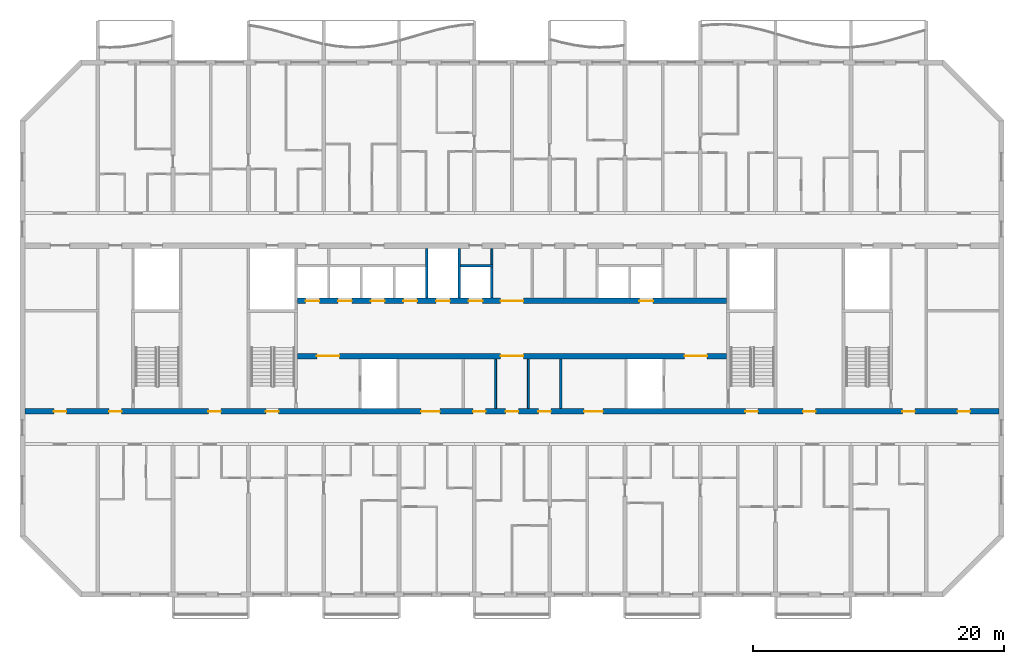
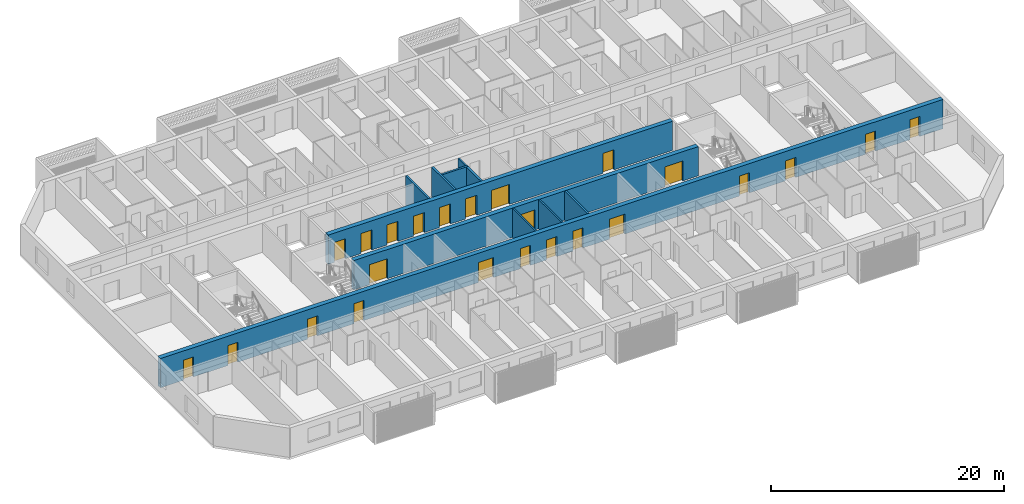
# One storey, part 7 of 33: 24 doors, 11 walls, 24 openings.
"""IFC4 building model written with IfcOpenShell, lengths in metres."""

from ifc_helpers import new_model, si_unit, direction, frame, frame_2d, origin, place, context, subcontext, project, spatial, rectangle, extrude, material, layer, layer_set, type_object, element, fill, save


model = new_model("IFC4")

# Units and contexts
model_context = context("Model", 3, precision=1e-05, world=origin(), true_north=direction((0.0, 1.0)))
body_context = subcontext(model_context, "Body", "Model", "MODEL_VIEW")
ifc_project = project(units=[si_unit("LENGTHUNIT", "METRE"), si_unit("AREAUNIT", "SQUARE_METRE"), si_unit("VOLUMEUNIT", "CUBIC_METRE"), si_unit("PLANEANGLEUNIT", "RADIAN"), si_unit("MASSUNIT", "GRAM", prefix="KILO")], contexts=[model_context])

# Site, building, storey
site_placement = place(None, origin())
site = spatial("IfcSite", under=ifc_project, at=site_placement, CompositionType="ELEMENT")
building_placement = place(site_placement, origin())
building = spatial("IfcBuilding", under=site, at=building_placement, Name="Poui Terraces", CompositionType="ELEMENT")
storey_placement = place(building_placement, frame((0.0, 0.0, 135.60009765625)))
storey = spatial("IfcBuildingStorey", under=building, at=storey_placement, Name="L37", CompositionType="ELEMENT", Elevation=135.60009765625)

# Wall, openings, doors
ifc_material_1 = material(Name="Concrete 65 MPa", Category="concrete")
ifc_layer_1 = layer(ifc_material_1, 0.449951171875)
ifc_layer_set_1 = layer_set([ifc_layer_1], Name="Concrete 65 MPa")
wall_type_1 = type_object("IfcWallType", Name="CORE WALL 450 65 MPA", PredefinedType="SOLIDWALL", material=ifc_layer_set_1)
wall_1_placement = place(storey_placement, frame((33.925048828125, 19.0, 0.0), z_axis=(0.0, 0.0, 1.0), x_axis=(1.0, 0.0, 0.0)))
wall_1 = element("IfcWall", 1, at=wall_1_placement, inside=storey, type_object=wall_type_1, Name="CORE WALL", PredefinedType="SOLIDWALL", context=body_context, shape_type="SweptSolid", body=[
    extrude(rectangle(XDim=34.14990234375, YDim=0.449951171875, at=frame_2d((17.074951171875, 0.0))), origin(), (0.0, 0.0, 1.0), 3.06982421875),
])
opening_1_placement = place(wall_1_placement, frame((16.175048828125, 0.0, 0.0)))
opening_1 = element("IfcOpeningElement", 2, at=opening_1_placement, cuts=wall_1, Name="Opening FDD60", PredefinedType="OPENING", context=body_context, shape_type="SweptSolid", body=[
    extrude(rectangle(XDim=1.800048828125, YDim=2.10009765625, at=frame_2d((0.89990234375, 1.050048828125))), frame((0.0, 0.23486328125, 0.0), z_axis=(0.0, -1.0, 0.0), x_axis=(1.0, 0.0, 0.0)), (0.0, 0.0, 1.0), 0.469970703125),
])
opening_2_placement = place(wall_1_placement, frame((1.52490234375, 0.0, 0.0)))
opening_2 = element("IfcOpeningElement", 3, at=opening_2_placement, cuts=wall_1, Name="Opening FDD60", PredefinedType="OPENING", context=body_context, shape_type="SweptSolid", body=[
    extrude(rectangle(XDim=1.800048828125, YDim=2.10009765625, at=frame_2d((0.89990234375, 1.050048828125))), frame((0.0, 0.23486328125, 0.0), z_axis=(0.0, -1.0, 0.0), x_axis=(1.0, 0.0, 0.0)), (0.0, 0.0, 1.0), 0.469970703125),
])
opening_3_placement = place(wall_1_placement, frame((30.824951171875, 0.0, 0.0)))
opening_3 = element("IfcOpeningElement", 4, at=opening_3_placement, cuts=wall_1, Name="Opening FDD60", PredefinedType="OPENING", context=body_context, shape_type="SweptSolid", body=[
    extrude(rectangle(XDim=1.800048828125, YDim=2.10009765625, at=frame_2d((0.89990234375, 1.050048828125))), frame((0.0, 0.23486328125, 0.0), z_axis=(0.0, -1.0, 0.0), x_axis=(1.0, 0.0, 0.0)), (0.0, 0.0, 1.0), 0.469970703125),
])
ifc_material_2 = material(Name="Steel fire door", Category="steel")
door_type_1 = type_object("IfcDoorType", Name="DOUBLE LOBBY FIRE DOOR 1800 X 2100", OperationType="DOUBLE_DOOR_SINGLE_SWING", PredefinedType="DOOR", material=ifc_material_2)
door_1_placement = place(opening_1_placement, frame((1.800048828125, 0.0, 0.0), z_axis=(0.0, 0.0, 1.0), x_axis=(-1.0, 0.0, 0.0)))
door_1 = element("IfcDoor", 5, at=door_1_placement, inside=storey, type_object=door_type_1, Name="DOUBLE LOBBY FIRE DOOR 122", OperationType="DOUBLE_DOOR_SINGLE_SWING", OverallHeight=2.10009765625, OverallWidth=1.800048828125, PredefinedType="DOOR", context=body_context, shape_type="SweptSolid", body=[
    extrude(rectangle(XDim=1.800048828125, YDim=2.10009765625, at=frame_2d((0.89990234375, 1.050048828125))), frame((0.0, 0.02490234375, 0.0), z_axis=(0.0, -1.0, 0.0), x_axis=(1.0, 0.0, 0.0)), (0.0, 0.0, 1.0), 0.050048828125),
])
fill(opening_1, door_1)
door_2_placement = place(opening_2_placement, origin())
door_2 = element("IfcDoor", 6, at=door_2_placement, inside=storey, type_object=door_type_1, Name="DOUBLE LOBBY FIRE DOOR 124", OperationType="DOUBLE_DOOR_SINGLE_SWING", OverallHeight=2.10009765625, OverallWidth=1.800048828125, PredefinedType="DOOR", context=body_context, shape_type="SweptSolid", body=[
    extrude(rectangle(XDim=1.800048828125, YDim=2.10009765625, at=frame_2d((0.89990234375, 1.050048828125))), frame((0.0, 0.02490234375, 0.0), z_axis=(0.0, -1.0, 0.0), x_axis=(1.0, 0.0, 0.0)), (0.0, 0.0, 1.0), 0.050048828125),
])
fill(opening_2, door_2)
door_3_placement = place(opening_3_placement, origin())
door_3 = element("IfcDoor", 7, at=door_3_placement, inside=storey, type_object=door_type_1, Name="DOUBLE LOBBY FIRE DOOR 131", OperationType="DOUBLE_DOOR_SINGLE_SWING", OverallHeight=2.10009765625, OverallWidth=1.800048828125, PredefinedType="DOOR", context=body_context, shape_type="SweptSolid", body=[
    extrude(rectangle(XDim=1.800048828125, YDim=2.10009765625, at=frame_2d((0.89990234375, 1.050048828125))), frame((0.0, 0.02490234375, 0.0), z_axis=(0.0, -1.0, 0.0), x_axis=(1.0, 0.0, 0.0)), (0.0, 0.0, 1.0), 0.050048828125),
])
fill(opening_3, door_3)

wall_2_placement = place(storey_placement, frame((33.925048828125, 23.39990234375, 0.0), z_axis=(0.0, 0.0, 1.0), x_axis=(1.0, 0.0, 0.0)))
wall_2 = element("IfcWall", 8, at=wall_2_placement, inside=storey, type_object=wall_type_1, Name="CORE WALL", PredefinedType="SOLIDWALL", context=body_context, shape_type="SweptSolid", body=[
    extrude(rectangle(XDim=34.14990234375, YDim=0.449951171875, at=frame_2d((17.074951171875, 0.0))), origin(), (0.0, 0.0, 1.0), 3.06982421875),
])
opening_4_placement = place(wall_2_placement, frame((16.175048828125, 0.0, 0.0)))
opening_4 = element("IfcOpeningElement", 9, at=opening_4_placement, cuts=wall_2, Name="Opening FDD60", PredefinedType="OPENING", context=body_context, shape_type="SweptSolid", body=[
    extrude(rectangle(XDim=1.800048828125, YDim=2.10009765625, at=frame_2d((0.89990234375, 1.050048828125))), frame((0.0, 0.23486328125, 0.0), z_axis=(0.0, -1.0, 0.0), x_axis=(1.0, 0.0, 0.0)), (0.0, 0.0, 1.0), 0.469970703125),
])
opening_5_placement = place(wall_2_placement, frame((0.625, 0.0, 0.0)))
opening_5 = element("IfcOpeningElement", 10, at=opening_5_placement, cuts=wall_2, Name="Opening LD", PredefinedType="OPENING", context=body_context, shape_type="SweptSolid", body=[
    extrude(rectangle(XDim=1.10009765625, YDim=2.10009765625, at=frame_2d((0.550048828125, 1.050048828125))), frame((0.0, 0.23486328125, 0.0), z_axis=(0.0, -1.0, 0.0), x_axis=(1.0, 0.0, 0.0)), (0.0, 0.0, 1.0), 0.469970703125),
])
opening_6_placement = place(wall_2_placement, frame((3.22509765625, 0.0, 0.0)))
opening_6 = element("IfcOpeningElement", 11, at=opening_6_placement, cuts=wall_2, Name="Opening LD", PredefinedType="OPENING", context=body_context, shape_type="SweptSolid", body=[
    extrude(rectangle(XDim=1.10009765625, YDim=2.10009765625, at=frame_2d((0.550048828125, 1.050048828125))), frame((0.0, 0.23486328125, 0.0), z_axis=(0.0, -1.0, 0.0), x_axis=(1.0, 0.0, 0.0)), (0.0, 0.0, 1.0), 0.469970703125),
])
opening_7_placement = place(wall_2_placement, frame((5.824951171875, 0.0, 0.0)))
opening_7 = element("IfcOpeningElement", 12, at=opening_7_placement, cuts=wall_2, Name="Opening LD", PredefinedType="OPENING", context=body_context, shape_type="SweptSolid", body=[
    extrude(rectangle(XDim=1.10009765625, YDim=2.10009765625, at=frame_2d((0.550048828125, 1.050048828125))), frame((0.0, 0.23486328125, 0.0), z_axis=(0.0, -1.0, 0.0), x_axis=(1.0, 0.0, 0.0)), (0.0, 0.0, 1.0), 0.469970703125),
])
opening_8_placement = place(wall_2_placement, frame((8.425048828125, 0.0, 0.0)))
opening_8 = element("IfcOpeningElement", 13, at=opening_8_placement, cuts=wall_2, Name="Opening LD", PredefinedType="OPENING", context=body_context, shape_type="SweptSolid", body=[
    extrude(rectangle(XDim=1.10009765625, YDim=2.10009765625, at=frame_2d((0.550048828125, 1.050048828125))), frame((0.0, 0.23486328125, 0.0), z_axis=(0.0, -1.0, 0.0), x_axis=(1.0, 0.0, 0.0)), (0.0, 0.0, 1.0), 0.469970703125),
])
opening_9_placement = place(wall_2_placement, frame((11.02490234375, 0.0, 0.0)))
opening_9 = element("IfcOpeningElement", 14, at=opening_9_placement, cuts=wall_2, Name="Opening LD", PredefinedType="OPENING", context=body_context, shape_type="SweptSolid", body=[
    extrude(rectangle(XDim=1.10009765625, YDim=2.10009765625, at=frame_2d((0.550048828125, 1.050048828125))), frame((0.0, 0.23486328125, 0.0), z_axis=(0.0, -1.0, 0.0), x_axis=(1.0, 0.0, 0.0)), (0.0, 0.0, 1.0), 0.469970703125),
])
opening_10_placement = place(wall_2_placement, frame((13.625, 0.0, 0.0)))
opening_10 = element("IfcOpeningElement", 15, at=opening_10_placement, cuts=wall_2, Name="Opening LD", PredefinedType="OPENING", context=body_context, shape_type="SweptSolid", body=[
    extrude(rectangle(XDim=1.10009765625, YDim=2.10009765625, at=frame_2d((0.550048828125, 1.050048828125))), frame((0.0, 0.23486328125, 0.0), z_axis=(0.0, -1.0, 0.0), x_axis=(1.0, 0.0, 0.0)), (0.0, 0.0, 1.0), 0.469970703125),
])
opening_11_placement = place(wall_2_placement, frame((27.22509765625, 0.0, 0.0)))
opening_11 = element("IfcOpeningElement", 16, at=opening_11_placement, cuts=wall_2, Name="Opening LD", PredefinedType="OPENING", context=body_context, shape_type="SweptSolid", body=[
    extrude(rectangle(XDim=1.10009765625, YDim=2.10009765625, at=frame_2d((0.550048828125, 1.050048828125))), frame((0.0, 0.23486328125, 0.0), z_axis=(0.0, -1.0, 0.0), x_axis=(1.0, 0.0, 0.0)), (0.0, 0.0, 1.0), 0.469970703125),
])
door_4_placement = place(opening_4_placement, origin())
door_4 = element("IfcDoor", 17, at=door_4_placement, inside=storey, type_object=door_type_1, Name="DOUBLE LOBBY FIRE DOOR 121", OperationType="DOUBLE_DOOR_SINGLE_SWING", OverallHeight=2.10009765625, OverallWidth=1.800048828125, PredefinedType="DOOR", context=body_context, shape_type="SweptSolid", body=[
    extrude(rectangle(XDim=1.800048828125, YDim=2.10009765625, at=frame_2d((0.89990234375, 1.050048828125))), frame((0.0, 0.02490234375, 0.0), z_axis=(0.0, -1.0, 0.0), x_axis=(1.0, 0.0, 0.0)), (0.0, 0.0, 1.0), 0.050048828125),
])
fill(opening_4, door_4)
ifc_material_3 = material(Name="Stainless steel sliding door", Category="steel")
door_type_2 = type_object("IfcDoorType", Name="LIFT LANDING DOOR 1100 X 2100", OperationType="DOUBLE_DOOR_SLIDING", PredefinedType="DOOR", material=ifc_material_3)
door_5_placement = place(opening_5_placement, origin())
door_5 = element("IfcDoor", 18, at=door_5_placement, inside=storey, type_object=door_type_2, Name="LANDING DOOR", OperationType="DOUBLE_DOOR_SLIDING", OverallHeight=2.10009765625, OverallWidth=1.10009765625, PredefinedType="DOOR", context=body_context, shape_type="SweptSolid", body=[
    extrude(rectangle(XDim=1.10009765625, YDim=2.10009765625, at=frame_2d((0.550048828125, 1.050048828125))), frame((0.0, 0.02490234375, 0.0), z_axis=(0.0, -1.0, 0.0), x_axis=(1.0, 0.0, 0.0)), (0.0, 0.0, 1.0), 0.050048828125),
])
fill(opening_5, door_5)
door_6_placement = place(opening_6_placement, origin())
door_6 = element("IfcDoor", 19, at=door_6_placement, inside=storey, type_object=door_type_2, Name="LANDING DOOR", OperationType="DOUBLE_DOOR_SLIDING", OverallHeight=2.10009765625, OverallWidth=1.10009765625, PredefinedType="DOOR", context=body_context, shape_type="SweptSolid", body=[
    extrude(rectangle(XDim=1.10009765625, YDim=2.10009765625, at=frame_2d((0.550048828125, 1.050048828125))), frame((0.0, 0.02490234375, 0.0), z_axis=(0.0, -1.0, 0.0), x_axis=(1.0, 0.0, 0.0)), (0.0, 0.0, 1.0), 0.050048828125),
])
fill(opening_6, door_6)
door_7_placement = place(opening_7_placement, origin())
door_7 = element("IfcDoor", 20, at=door_7_placement, inside=storey, type_object=door_type_2, Name="LANDING DOOR", OperationType="DOUBLE_DOOR_SLIDING", OverallHeight=2.10009765625, OverallWidth=1.10009765625, PredefinedType="DOOR", context=body_context, shape_type="SweptSolid", body=[
    extrude(rectangle(XDim=1.10009765625, YDim=2.10009765625, at=frame_2d((0.550048828125, 1.050048828125))), frame((0.0, 0.02490234375, 0.0), z_axis=(0.0, -1.0, 0.0), x_axis=(1.0, 0.0, 0.0)), (0.0, 0.0, 1.0), 0.050048828125),
])
fill(opening_7, door_7)
door_8_placement = place(opening_8_placement, origin())
door_8 = element("IfcDoor", 21, at=door_8_placement, inside=storey, type_object=door_type_2, Name="LANDING DOOR", OperationType="DOUBLE_DOOR_SLIDING", OverallHeight=2.10009765625, OverallWidth=1.10009765625, PredefinedType="DOOR", context=body_context, shape_type="SweptSolid", body=[
    extrude(rectangle(XDim=1.10009765625, YDim=2.10009765625, at=frame_2d((0.550048828125, 1.050048828125))), frame((0.0, 0.02490234375, 0.0), z_axis=(0.0, -1.0, 0.0), x_axis=(1.0, 0.0, 0.0)), (0.0, 0.0, 1.0), 0.050048828125),
])
fill(opening_8, door_8)
door_9_placement = place(opening_9_placement, origin())
door_9 = element("IfcDoor", 22, at=door_9_placement, inside=storey, type_object=door_type_2, Name="LANDING DOOR", OperationType="DOUBLE_DOOR_SLIDING", OverallHeight=2.10009765625, OverallWidth=1.10009765625, PredefinedType="DOOR", context=body_context, shape_type="SweptSolid", body=[
    extrude(rectangle(XDim=1.10009765625, YDim=2.10009765625, at=frame_2d((0.550048828125, 1.050048828125))), frame((0.0, 0.02490234375, 0.0), z_axis=(0.0, -1.0, 0.0), x_axis=(1.0, 0.0, 0.0)), (0.0, 0.0, 1.0), 0.050048828125),
])
fill(opening_9, door_9)
door_10_placement = place(opening_10_placement, origin())
door_10 = element("IfcDoor", 23, at=door_10_placement, inside=storey, type_object=door_type_2, Name="LANDING DOOR", OperationType="DOUBLE_DOOR_SLIDING", OverallHeight=2.10009765625, OverallWidth=1.10009765625, PredefinedType="DOOR", context=body_context, shape_type="SweptSolid", body=[
    extrude(rectangle(XDim=1.10009765625, YDim=2.10009765625, at=frame_2d((0.550048828125, 1.050048828125))), frame((0.0, 0.02490234375, 0.0), z_axis=(0.0, -1.0, 0.0), x_axis=(1.0, 0.0, 0.0)), (0.0, 0.0, 1.0), 0.050048828125),
])
fill(opening_10, door_10)
door_11_placement = place(opening_11_placement, origin())
door_11 = element("IfcDoor", 24, at=door_11_placement, inside=storey, type_object=door_type_2, Name="LANDING DOOR", OperationType="DOUBLE_DOOR_SLIDING", OverallHeight=2.10009765625, OverallWidth=1.10009765625, PredefinedType="DOOR", context=body_context, shape_type="SweptSolid", body=[
    extrude(rectangle(XDim=1.10009765625, YDim=2.10009765625, at=frame_2d((0.550048828125, 1.050048828125))), frame((0.0, 0.02490234375, 0.0), z_axis=(0.0, -1.0, 0.0), x_axis=(1.0, 0.0, 0.0)), (0.0, 0.0, 1.0), 0.050048828125),
])
fill(opening_11, door_11)

# Walls
ifc_material_4 = material(Name="Fire-rated plasterboard wall")
ifc_layer_2 = layer(ifc_material_4, 0.14990234375)
ifc_layer_set_2 = layer_set([ifc_layer_2], Name="Fire-rated plasterboard wall")
wall_type_2 = type_object("IfcWallType", Name="CORRIDOR WALL 150", PredefinedType="PARTITIONING", material=ifc_layer_set_2)
wall_3_placement = place(storey_placement, frame((49.39990234375, 26.300048828125, 0.0), z_axis=(0.0, 0.0, 1.0), x_axis=(0.0, 1.0, 0.0)))
element("IfcWall", 25, at=wall_3_placement, inside=storey, type_object=wall_type_2, Name="CORRIDOR WALL 150", PredefinedType="PARTITIONING", context=body_context, shape_type="SweptSolid", body=[
    extrude(rectangle(XDim=1.264892578125, YDim=0.14990234375, at=frame_2d((0.63232421875, 0.0))), origin(), (0.0, 0.0, 1.0), 3.06982421875),
])
for number, where, z_axis, x_axis, name in (
    (26, (49.699951171875, 14.8349609375, 0.0), (0.0, 0.0, 1.0), (0.0, 1.0, 0.0), "CORRIDOR WALL 150"),
    (27, (52.300048828125, 14.8349609375, 0.0), (0.0, 0.0, 1.0), (0.0, 1.0, 0.0), "CORRIDOR WALL 150"),
):
    element("IfcWall", number, at=place(storey_placement, frame(where, z_axis=z_axis, x_axis=x_axis)), inside=storey, type_object=wall_type_2, Name=name, PredefinedType="PARTITIONING", context=body_context, shape_type="SweptSolid", body=[
        extrude(rectangle(XDim=3.929931640625, YDim=0.14990234375, at=frame_2d((1.96484375, 0.0))), origin(), (0.0, 0.0, 1.0), 3.06982421875),
    ])
ifc_material_5 = material(Name="Fire-rated masonry wall", Category="masonry")
ifc_layer_3 = layer(ifc_material_5, 0.199951171875)
ifc_layer_set_3 = layer_set([ifc_layer_3], Name="Fire-rated masonry wall")
wall_type_3 = type_object("IfcWallType", Name="PLANT ROOM WALL 200", PredefinedType="PARTITIONING", material=ifc_layer_set_3)
wall_4_placement = place(storey_placement, frame((54.89990234375, 14.8349609375, 0.0), z_axis=(0.0, 0.0, 1.0), x_axis=(0.0, 1.0, 0.0)))
element("IfcWall", 28, at=wall_4_placement, inside=storey, type_object=wall_type_3, Name="PLANT ROOM WALL 200", PredefinedType="PARTITIONING", context=body_context, shape_type="SweptSolid", body=[
    extrude(rectangle(XDim=3.929931640625, YDim=0.199951171875, at=frame_2d((1.96484375, 0.0))), origin(), (0.0, 0.0, 1.0), 3.06982421875),
])
ifc_material_6 = material(Name="Fire-rated masonry shaft wall", Category="masonry")
ifc_layer_4 = layer(ifc_material_6, 0.199951171875)
ifc_layer_set_4 = layer_set([ifc_layer_4], Name="Fire-rated masonry shaft wall")
wall_type_4 = type_object("IfcWallType", Name="SHAFT WALL 200", PredefinedType="PARTITIONING", material=ifc_layer_set_4)
wall_5_placement = place(storey_placement, frame((46.89990234375, 26.199951171875, 0.0), z_axis=(0.0, 0.0, 1.0), x_axis=(1.0, 0.0, 0.0)))
element("IfcWall", 29, at=wall_5_placement, inside=storey, type_object=wall_type_4, Name="SHAFT WALL 200", PredefinedType="PARTITIONING", context=body_context, shape_type="SweptSolid", body=[
    extrude(rectangle(XDim=2.60009765625, YDim=0.199951171875, at=frame_2d((1.300048828125, 0.0))), origin(), (0.0, 0.0, 1.0), 3.06982421875),
])
for number, where, z_axis, x_axis, name in (
    (30, (44.199951171875, 23.635009765625, 0.0), (0.0, 0.0, 1.0), (0.0, 1.0, 0.0), "SHAFT WALL 200"),
    (31, (46.800048828125, 23.635009765625, 0.0), (0.0, 0.0, 1.0), (0.0, 1.0, 0.0), "SHAFT WALL 200"),
):
    element("IfcWall", number, at=place(storey_placement, frame(where, z_axis=z_axis, x_axis=x_axis)), inside=storey, type_object=wall_type_4, Name=name, PredefinedType="PARTITIONING", context=body_context, shape_type="SweptSolid", body=[
        extrude(rectangle(XDim=3.929931640625, YDim=0.199951171875, at=frame_2d((1.96484375, 0.0))), origin(), (0.0, 0.0, 1.0), 3.06982421875),
    ])
wall_6_placement = place(storey_placement, frame((49.39990234375, 23.635009765625, 0.0), z_axis=(0.0, 0.0, 1.0), x_axis=(0.0, 1.0, 0.0)))
element("IfcWall", 32, at=wall_6_placement, inside=storey, type_object=wall_type_4, Name="SHAFT WALL 200", PredefinedType="PARTITIONING", context=body_context, shape_type="SweptSolid", body=[
    extrude(rectangle(XDim=2.465087890625, YDim=0.199951171875, at=frame_2d((1.232421875, 0.0))), origin(), (0.0, 0.0, 1.0), 3.06982421875),
])

# Wall, openings, doors
ifc_layer_5 = layer(ifc_material_1, 0.449951171875)
ifc_layer_set_5 = layer_set([ifc_layer_5], Name="Concrete 65 MPa")
wall_type_5 = type_object("IfcWallType", Name="SPINE WALL 450 65 MPA", PredefinedType="SOLIDWALL", material=ifc_layer_set_5)
wall_7_placement = place(storey_placement, frame((12.199951171875, 14.60009765625, 0.0), z_axis=(0.0, 0.0, 1.0), x_axis=(1.0, 0.0, 0.0)))
wall_7 = element("IfcWall", 33, at=wall_7_placement, inside=storey, type_object=wall_type_5, Name="SPINE WALL", PredefinedType="SOLIDWALL", context=body_context, shape_type="SweptSolid", body=[
    extrude(rectangle(XDim=77.60009765625, YDim=0.449951171875, at=frame_2d((38.800048828125, 0.0))), origin(), (0.0, 0.0, 1.0), 3.06982421875),
])
opening_12_placement = place(wall_7_placement, frame((2.300048828125, 0.0, 0.0)))
opening_12 = element("IfcOpeningElement", 34, at=opening_12_placement, cuts=wall_7, Name="Opening FD60", PredefinedType="OPENING", context=body_context, shape_type="SweptSolid", body=[
    extrude(rectangle(XDim=1.0, YDim=2.10009765625, at=frame_2d((0.5, 1.050048828125))), frame((0.0, 0.23486328125, 0.0), z_axis=(0.0, -1.0, 0.0), x_axis=(1.0, 0.0, 0.0)), (0.0, 0.0, 1.0), 0.469970703125),
])
opening_13_placement = place(wall_7_placement, frame((6.699951171875, 0.0, 0.0)))
opening_13 = element("IfcOpeningElement", 35, at=opening_13_placement, cuts=wall_7, Name="Opening FDL", PredefinedType="OPENING", context=body_context, shape_type="SweptSolid", body=[
    extrude(rectangle(XDim=1.0, YDim=2.10009765625, at=frame_2d((0.5, 1.050048828125))), frame((0.0, 0.23486328125, 0.0), z_axis=(0.0, -1.0, 0.0), x_axis=(1.0, 0.0, 0.0)), (0.0, 0.0, 1.0), 0.469970703125),
])
opening_14_placement = place(wall_7_placement, frame((14.60009765625, 0.0, 0.0)))
opening_14 = element("IfcOpeningElement", 36, at=opening_14_placement, cuts=wall_7, Name="Opening D100", PredefinedType="OPENING", context=body_context, shape_type="SweptSolid", body=[
    extrude(rectangle(XDim=1.0, YDim=2.10009765625, at=frame_2d((0.5, 1.050048828125))), frame((0.0, 0.23486328125, 0.0), z_axis=(0.0, -1.0, 0.0), x_axis=(1.0, 0.0, 0.0)), (0.0, 0.0, 1.0), 0.469970703125),
])
opening_15_placement = place(wall_7_placement, frame((19.199951171875, 0.0, 0.0)))
opening_15 = element("IfcOpeningElement", 37, at=opening_15_placement, cuts=wall_7, Name="Opening FD60S", PredefinedType="OPENING", context=body_context, shape_type="SweptSolid", body=[
    extrude(rectangle(XDim=1.0, YDim=2.10009765625, at=frame_2d((0.5, 1.050048828125))), frame((0.0, 0.23486328125, 0.0), z_axis=(0.0, -1.0, 0.0), x_axis=(1.0, 0.0, 0.0)), (0.0, 0.0, 1.0), 0.469970703125),
])
opening_16_placement = place(wall_7_placement, frame((31.550048828125, 0.0, 0.0)))
opening_16 = element("IfcOpeningElement", 38, at=opening_16_placement, cuts=wall_7, Name="Opening FDP", PredefinedType="OPENING", context=body_context, shape_type="SweptSolid", body=[
    extrude(rectangle(XDim=1.5, YDim=2.10009765625, at=frame_2d((0.75, 1.050048828125))), frame((0.0, 0.23486328125, 0.0), z_axis=(0.0, -1.0, 0.0), x_axis=(1.0, 0.0, 0.0)), (0.0, 0.0, 1.0), 0.469970703125),
])
opening_17_placement = place(wall_7_placement, frame((35.699951171875, 0.0, 0.0)))
opening_17 = element("IfcOpeningElement", 39, at=opening_17_placement, cuts=wall_7, Name="Opening FD60", PredefinedType="OPENING", context=body_context, shape_type="SweptSolid", body=[
    extrude(rectangle(XDim=1.0, YDim=2.10009765625, at=frame_2d((0.5, 1.050048828125))), frame((0.0, 0.23486328125, 0.0), z_axis=(0.0, -1.0, 0.0), x_axis=(1.0, 0.0, 0.0)), (0.0, 0.0, 1.0), 0.469970703125),
])
opening_18_placement = place(wall_7_placement, frame((38.300048828125, 0.0, 0.0)))
opening_18 = element("IfcOpeningElement", 40, at=opening_18_placement, cuts=wall_7, Name="Opening FDL", PredefinedType="OPENING", context=body_context, shape_type="SweptSolid", body=[
    extrude(rectangle(XDim=1.0, YDim=2.10009765625, at=frame_2d((0.5, 1.050048828125))), frame((0.0, 0.23486328125, 0.0), z_axis=(0.0, -1.0, 0.0), x_axis=(1.0, 0.0, 0.0)), (0.0, 0.0, 1.0), 0.469970703125),
])
opening_19_placement = place(wall_7_placement, frame((40.89990234375, 0.0, 0.0)))
opening_19 = element("IfcOpeningElement", 41, at=opening_19_placement, cuts=wall_7, Name="Opening FD60", PredefinedType="OPENING", context=body_context, shape_type="SweptSolid", body=[
    extrude(rectangle(XDim=1.0, YDim=2.10009765625, at=frame_2d((0.5, 1.050048828125))), frame((0.0, 0.23486328125, 0.0), z_axis=(0.0, -1.0, 0.0), x_axis=(1.0, 0.0, 0.0)), (0.0, 0.0, 1.0), 0.469970703125),
])
opening_20_placement = place(wall_7_placement, frame((44.550048828125, 0.0, 0.0)))
opening_20 = element("IfcOpeningElement", 42, at=opening_20_placement, cuts=wall_7, Name="Opening FDP", PredefinedType="OPENING", context=body_context, shape_type="SweptSolid", body=[
    extrude(rectangle(XDim=1.5, YDim=2.10009765625, at=frame_2d((0.75, 1.050048828125))), frame((0.0, 0.23486328125, 0.0), z_axis=(0.0, -1.0, 0.0), x_axis=(1.0, 0.0, 0.0)), (0.0, 0.0, 1.0), 0.469970703125),
])
opening_21_placement = place(wall_7_placement, frame((57.39990234375, 0.0, 0.0)))
opening_21 = element("IfcOpeningElement", 43, at=opening_21_placement, cuts=wall_7, Name="Opening FD60S", PredefinedType="OPENING", context=body_context, shape_type="SweptSolid", body=[
    extrude(rectangle(XDim=1.0, YDim=2.10009765625, at=frame_2d((0.5, 1.050048828125))), frame((0.0, 0.23486328125, 0.0), z_axis=(0.0, -1.0, 0.0), x_axis=(1.0, 0.0, 0.0)), (0.0, 0.0, 1.0), 0.469970703125),
])
opening_22_placement = place(wall_7_placement, frame((62.0, 0.0, 0.0)))
opening_22 = element("IfcOpeningElement", 44, at=opening_22_placement, cuts=wall_7, Name="Opening D100", PredefinedType="OPENING", context=body_context, shape_type="SweptSolid", body=[
    extrude(rectangle(XDim=1.0, YDim=2.10009765625, at=frame_2d((0.5, 1.050048828125))), frame((0.0, 0.23486328125, 0.0), z_axis=(0.0, -1.0, 0.0), x_axis=(1.0, 0.0, 0.0)), (0.0, 0.0, 1.0), 0.469970703125),
])
opening_23_placement = place(wall_7_placement, frame((69.89990234375, 0.0, 0.0)))
opening_23 = element("IfcOpeningElement", 45, at=opening_23_placement, cuts=wall_7, Name="Opening FDL", PredefinedType="OPENING", context=body_context, shape_type="SweptSolid", body=[
    extrude(rectangle(XDim=1.0, YDim=2.10009765625, at=frame_2d((0.5, 1.050048828125))), frame((0.0, 0.23486328125, 0.0), z_axis=(0.0, -1.0, 0.0), x_axis=(1.0, 0.0, 0.0)), (0.0, 0.0, 1.0), 0.469970703125),
])
opening_24_placement = place(wall_7_placement, frame((74.300048828125, 0.0, 0.0)))
opening_24 = element("IfcOpeningElement", 46, at=opening_24_placement, cuts=wall_7, Name="Opening FD60", PredefinedType="OPENING", context=body_context, shape_type="SweptSolid", body=[
    extrude(rectangle(XDim=1.0, YDim=2.10009765625, at=frame_2d((0.5, 1.050048828125))), frame((0.0, 0.23486328125, 0.0), z_axis=(0.0, -1.0, 0.0), x_axis=(1.0, 0.0, 0.0)), (0.0, 0.0, 1.0), 0.469970703125),
])
ifc_material_7 = material(Name="Solid core timber door", Category="wood")
door_type_3 = type_object("IfcDoorType", Name="ACCESSIBLE INTERNAL DOOR 1000 X 2100", OperationType="NOTDEFINED", PredefinedType="DOOR", material=ifc_material_7)
door_12_placement = place(opening_14_placement, frame((1.0, 0.0, 0.0), z_axis=(0.0, 0.0, 1.0), x_axis=(-1.0, 0.0, 0.0)))
door_12 = element("IfcDoor", 47, at=door_12_placement, inside=storey, type_object=door_type_3, Name="ACCESSIBLE INTERNAL DOOR 020", OperationType="SINGLE_SWING_LEFT", OverallHeight=2.10009765625, OverallWidth=1.0, PredefinedType="DOOR", context=body_context, shape_type="SweptSolid", body=[
    extrude(rectangle(XDim=1.0, YDim=2.10009765625, at=frame_2d((0.5, 1.050048828125))), frame((0.0, 0.02490234375, 0.0), z_axis=(0.0, -1.0, 0.0), x_axis=(1.0, 0.0, 0.0)), (0.0, 0.0, 1.0), 0.050048828125),
])
fill(opening_14, door_12)
door_13_placement = place(opening_22_placement, frame((1.0, 0.0, 0.0), z_axis=(0.0, 0.0, 1.0), x_axis=(-1.0, 0.0, 0.0)))
door_13 = element("IfcDoor", 48, at=door_13_placement, inside=storey, type_object=door_type_3, Name="ACCESSIBLE INTERNAL DOOR 028", OperationType="SINGLE_SWING_RIGHT", OverallHeight=2.10009765625, OverallWidth=1.0, PredefinedType="DOOR", context=body_context, shape_type="SweptSolid", body=[
    extrude(rectangle(XDim=1.0, YDim=2.10009765625, at=frame_2d((0.5, 1.050048828125))), frame((0.0, 0.02490234375, 0.0), z_axis=(0.0, -1.0, 0.0), x_axis=(1.0, 0.0, 0.0)), (0.0, 0.0, 1.0), 0.050048828125),
])
fill(opening_22, door_13)
door_type_4 = type_object("IfcDoorType", Name="LOBBY FIRE DOOR 1000 X 2100", OperationType="NOTDEFINED", PredefinedType="DOOR", material=ifc_material_2)
door_14_placement = place(opening_13_placement, frame((1.0, 0.0, 0.0), z_axis=(0.0, 0.0, 1.0), x_axis=(-1.0, 0.0, 0.0)))
door_14 = element("IfcDoor", 49, at=door_14_placement, inside=storey, type_object=door_type_4, Name="LOBBY FIRE DOOR 019", OperationType="SINGLE_SWING_RIGHT", OverallHeight=2.10009765625, OverallWidth=1.0, PredefinedType="DOOR", context=body_context, shape_type="SweptSolid", body=[
    extrude(rectangle(XDim=1.0, YDim=2.10009765625, at=frame_2d((0.5, 1.050048828125))), frame((0.0, 0.02490234375, 0.0), z_axis=(0.0, -1.0, 0.0), x_axis=(1.0, 0.0, 0.0)), (0.0, 0.0, 1.0), 0.050048828125),
])
fill(opening_13, door_14)
door_15_placement = place(opening_18_placement, frame((1.0, 0.0, 0.0), z_axis=(0.0, 0.0, 1.0), x_axis=(-1.0, 0.0, 0.0)))
door_15 = element("IfcDoor", 50, at=door_15_placement, inside=storey, type_object=door_type_4, Name="LOBBY FIRE DOOR 024", OperationType="SINGLE_SWING_LEFT", OverallHeight=2.10009765625, OverallWidth=1.0, PredefinedType="DOOR", context=body_context, shape_type="SweptSolid", body=[
    extrude(rectangle(XDim=1.0, YDim=2.10009765625, at=frame_2d((0.5, 1.050048828125))), frame((0.0, 0.02490234375, 0.0), z_axis=(0.0, -1.0, 0.0), x_axis=(1.0, 0.0, 0.0)), (0.0, 0.0, 1.0), 0.050048828125),
])
fill(opening_18, door_15)
door_16_placement = place(opening_23_placement, frame((1.0, 0.0, 0.0), z_axis=(0.0, 0.0, 1.0), x_axis=(-1.0, 0.0, 0.0)))
door_16 = element("IfcDoor", 51, at=door_16_placement, inside=storey, type_object=door_type_4, Name="LOBBY FIRE DOOR 029", OperationType="SINGLE_SWING_LEFT", OverallHeight=2.10009765625, OverallWidth=1.0, PredefinedType="DOOR", context=body_context, shape_type="SweptSolid", body=[
    extrude(rectangle(XDim=1.0, YDim=2.10009765625, at=frame_2d((0.5, 1.050048828125))), frame((0.0, 0.02490234375, 0.0), z_axis=(0.0, -1.0, 0.0), x_axis=(1.0, 0.0, 0.0)), (0.0, 0.0, 1.0), 0.050048828125),
])
fill(opening_23, door_16)
door_type_5 = type_object("IfcDoorType", Name="PLANT ROOM DOOR PAIR 1500 X 2100", OperationType="DOUBLE_DOOR_SINGLE_SWING", PredefinedType="DOOR", material=ifc_material_2)
door_17_placement = place(opening_16_placement, frame((1.5, 0.0, 0.0), z_axis=(0.0, 0.0, 1.0), x_axis=(-1.0, 0.0, 0.0)))
door_17 = element("IfcDoor", 52, at=door_17_placement, inside=storey, type_object=door_type_5, Name="PLANT ROOM DOOR PAIR 022", OperationType="DOUBLE_DOOR_SINGLE_SWING", OverallHeight=2.10009765625, OverallWidth=1.5, PredefinedType="DOOR", context=body_context, shape_type="SweptSolid", body=[
    extrude(rectangle(XDim=1.5, YDim=2.10009765625, at=frame_2d((0.75, 1.050048828125))), frame((0.0, 0.02490234375, 0.0), z_axis=(0.0, -1.0, 0.0), x_axis=(1.0, 0.0, 0.0)), (0.0, 0.0, 1.0), 0.050048828125),
])
fill(opening_16, door_17)
door_18_placement = place(opening_20_placement, frame((1.5, 0.0, 0.0), z_axis=(0.0, 0.0, 1.0), x_axis=(-1.0, 0.0, 0.0)))
door_18 = element("IfcDoor", 53, at=door_18_placement, inside=storey, type_object=door_type_5, Name="PLANT ROOM DOOR PAIR 026", OperationType="DOUBLE_DOOR_SINGLE_SWING", OverallHeight=2.10009765625, OverallWidth=1.5, PredefinedType="DOOR", context=body_context, shape_type="SweptSolid", body=[
    extrude(rectangle(XDim=1.5, YDim=2.10009765625, at=frame_2d((0.75, 1.050048828125))), frame((0.0, 0.02490234375, 0.0), z_axis=(0.0, -1.0, 0.0), x_axis=(1.0, 0.0, 0.0)), (0.0, 0.0, 1.0), 0.050048828125),
])
fill(opening_20, door_18)
door_type_6 = type_object("IfcDoorType", Name="SERVICE ROOM FIRE DOOR 1000 X 2100", OperationType="NOTDEFINED", PredefinedType="DOOR", material=ifc_material_2)
door_19_placement = place(opening_12_placement, frame((1.0, 0.0, 0.0), z_axis=(0.0, 0.0, 1.0), x_axis=(-1.0, 0.0, 0.0)))
door_19 = element("IfcDoor", 54, at=door_19_placement, inside=storey, type_object=door_type_6, Name="SERVICE ROOM FIRE DOOR 018", OperationType="SINGLE_SWING_LEFT", OverallHeight=2.10009765625, OverallWidth=1.0, PredefinedType="DOOR", context=body_context, shape_type="SweptSolid", body=[
    extrude(rectangle(XDim=1.0, YDim=2.10009765625, at=frame_2d((0.5, 1.050048828125))), frame((0.0, 0.02490234375, 0.0), z_axis=(0.0, -1.0, 0.0), x_axis=(1.0, 0.0, 0.0)), (0.0, 0.0, 1.0), 0.050048828125),
])
fill(opening_12, door_19)
door_20_placement = place(opening_17_placement, frame((1.0, 0.0, 0.0), z_axis=(0.0, 0.0, 1.0), x_axis=(-1.0, 0.0, 0.0)))
door_20 = element("IfcDoor", 55, at=door_20_placement, inside=storey, type_object=door_type_6, Name="SERVICE ROOM FIRE DOOR 023", OperationType="SINGLE_SWING_RIGHT", OverallHeight=2.10009765625, OverallWidth=1.0, PredefinedType="DOOR", context=body_context, shape_type="SweptSolid", body=[
    extrude(rectangle(XDim=1.0, YDim=2.10009765625, at=frame_2d((0.5, 1.050048828125))), frame((0.0, 0.02490234375, 0.0), z_axis=(0.0, -1.0, 0.0), x_axis=(1.0, 0.0, 0.0)), (0.0, 0.0, 1.0), 0.050048828125),
])
fill(opening_17, door_20)
door_21_placement = place(opening_19_placement, frame((1.0, 0.0, 0.0), z_axis=(0.0, 0.0, 1.0), x_axis=(-1.0, 0.0, 0.0)))
door_21 = element("IfcDoor", 56, at=door_21_placement, inside=storey, type_object=door_type_6, Name="SERVICE ROOM FIRE DOOR 025", OperationType="SINGLE_SWING_LEFT", OverallHeight=2.10009765625, OverallWidth=1.0, PredefinedType="DOOR", context=body_context, shape_type="SweptSolid", body=[
    extrude(rectangle(XDim=1.0, YDim=2.10009765625, at=frame_2d((0.5, 1.050048828125))), frame((0.0, 0.02490234375, 0.0), z_axis=(0.0, -1.0, 0.0), x_axis=(1.0, 0.0, 0.0)), (0.0, 0.0, 1.0), 0.050048828125),
])
fill(opening_19, door_21)
door_22_placement = place(opening_24_placement, frame((1.0, 0.0, 0.0), z_axis=(0.0, 0.0, 1.0), x_axis=(-1.0, 0.0, 0.0)))
door_22 = element("IfcDoor", 57, at=door_22_placement, inside=storey, type_object=door_type_6, Name="SERVICE ROOM FIRE DOOR 030", OperationType="SINGLE_SWING_LEFT", OverallHeight=2.10009765625, OverallWidth=1.0, PredefinedType="DOOR", context=body_context, shape_type="SweptSolid", body=[
    extrude(rectangle(XDim=1.0, YDim=2.10009765625, at=frame_2d((0.5, 1.050048828125))), frame((0.0, 0.02490234375, 0.0), z_axis=(0.0, -1.0, 0.0), x_axis=(1.0, 0.0, 0.0)), (0.0, 0.0, 1.0), 0.050048828125),
])
fill(opening_24, door_22)
door_type_7 = type_object("IfcDoorType", Name="STAIR DOOR 1000 X 2100", OperationType="NOTDEFINED", PredefinedType="DOOR", material=ifc_material_2)
door_23_placement = place(opening_15_placement, origin())
door_23 = element("IfcDoor", 58, at=door_23_placement, inside=storey, type_object=door_type_7, Name="STAIR DOOR 021", OperationType="SINGLE_SWING_RIGHT", OverallHeight=2.10009765625, OverallWidth=1.0, PredefinedType="DOOR", context=body_context, shape_type="SweptSolid", body=[
    extrude(rectangle(XDim=1.0, YDim=2.10009765625, at=frame_2d((0.5, 1.050048828125))), frame((0.0, 0.02490234375, 0.0), z_axis=(0.0, -1.0, 0.0), x_axis=(1.0, 0.0, 0.0)), (0.0, 0.0, 1.0), 0.050048828125),
])
fill(opening_15, door_23)
door_24_placement = place(opening_21_placement, origin())
door_24 = element("IfcDoor", 59, at=door_24_placement, inside=storey, type_object=door_type_7, Name="STAIR DOOR 027", OperationType="SINGLE_SWING_RIGHT", OverallHeight=2.10009765625, OverallWidth=1.0, PredefinedType="DOOR", context=body_context, shape_type="SweptSolid", body=[
    extrude(rectangle(XDim=1.0, YDim=2.10009765625, at=frame_2d((0.5, 1.050048828125))), frame((0.0, 0.02490234375, 0.0), z_axis=(0.0, -1.0, 0.0), x_axis=(1.0, 0.0, 0.0)), (0.0, 0.0, 1.0), 0.050048828125),
])
fill(opening_21, door_24)

save(model, "model.ifc")
